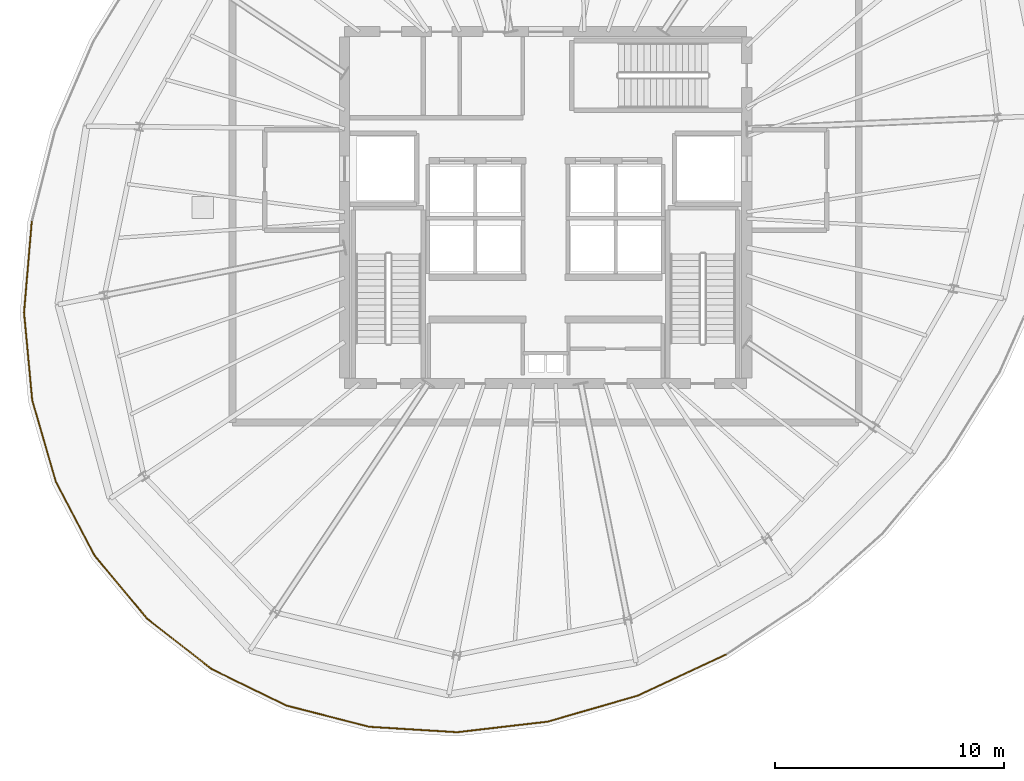
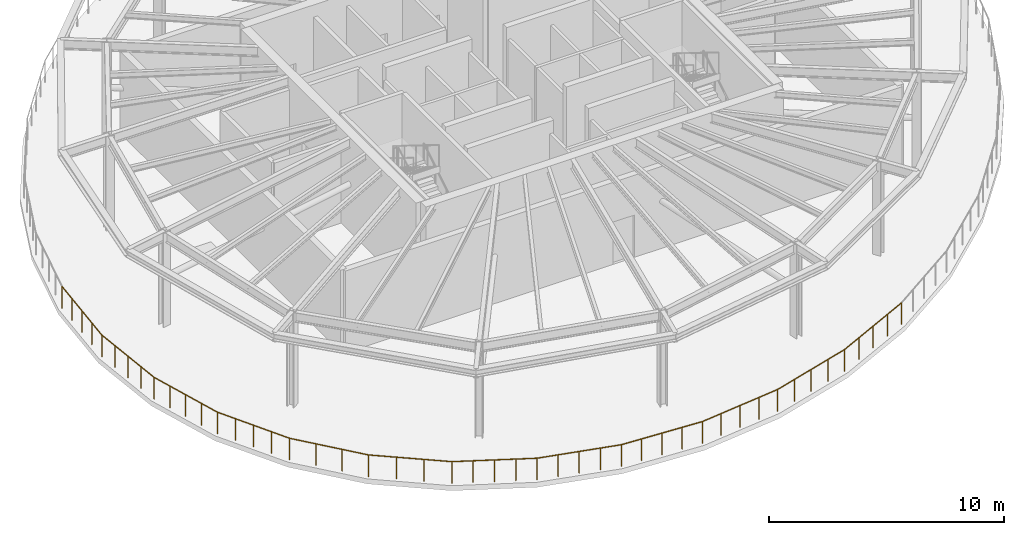
# One storey, part 6 of 8: 12 railings.
"""IFC4 building model written with IfcOpenShell, lengths in metres."""

from ifc_helpers import new_model, si_unit, direction, frame, origin, origin_2d, place, context, subcontext, project, spatial, circle, extrude, material, type_object, element, save


model = new_model("IFC4")

# Units and contexts
model_context = context("Model", 3, precision=1e-05, world=origin(), true_north=direction((0.0, 1.0)))
body_context = subcontext(model_context, "Body", "Model", "MODEL_VIEW")
ifc_project = project(units=[si_unit("LENGTHUNIT", "METRE"), si_unit("AREAUNIT", "SQUARE_METRE"), si_unit("VOLUMEUNIT", "CUBIC_METRE"), si_unit("PLANEANGLEUNIT", "RADIAN"), si_unit("MASSUNIT", "GRAM", prefix="KILO"), si_unit("THERMODYNAMICTEMPERATUREUNIT", "KELVIN")], contexts=[model_context])

# Site, building, storey
site_placement = place(None, origin())
site = spatial("IfcSite", under=ifc_project, at=site_placement, CompositionType="ELEMENT")
building_placement = place(site_placement, origin())
building = spatial("IfcBuilding", under=site, at=building_placement, Name="Kethvar Cultural Tower", CompositionType="ELEMENT")
storey_placement = place(building_placement, frame((0.0, 0.0, 218.39990234375)))
storey = spatial("IfcBuildingStorey", under=building, at=storey_placement, Name="L57", CompositionType="ELEMENT", Elevation=218.39990234375)

# Railings
ifc_material = material(Name="Steel S355J2", Category="steel")
railing_type = type_object("IfcRailingType", Name="RL-EXT-GUARD-1150", PredefinedType="BALUSTRADE", material=ifc_material)
railing_1_placement = place(storey_placement, frame((24.31103515625, 27.1845703125, 0.0)))
element("IfcRailing", 1, at=railing_1_placement, inside=storey, type_object=railing_type, Name="L57 Open Wind-Floor Perimeter Guard 14", PredefinedType="BALUSTRADE", context=body_context, shape_type="SweptSolid", body=[
    extrude(circle(Radius=0.02392578125, at=origin_2d()), frame((0.0, 0.0, 1.1259765625), z_axis=(-0.084401907335, -0.996431792968, 0.0), x_axis=(0.996431792968, -0.084401907335, 0.0)), (0.0, 0.0, 1.0), 3.99169921875),
    extrude(circle(Radius=0.02099609375, at=origin_2d()), origin(), (0.0, 0.0, 1.0), 1.101806640625),
    extrude(circle(Radius=0.02099609375, at=origin_2d()), frame((-0.084228515625, -0.994384765625, 0.0)), (0.0, 0.0, 1.0), 1.101806640625),
    extrude(circle(Radius=0.02099609375, at=origin_2d()), frame((-0.16845703125, -1.98876953125, 0.0)), (0.0, 0.0, 1.0), 1.101806640625),
    extrude(circle(Radius=0.02099609375, at=origin_2d()), frame((-0.252685546875, -2.983154296875, 0.0)), (0.0, 0.0, 1.0), 1.101806640625),
    extrude(circle(Radius=0.02099609375, at=origin_2d()), frame((-0.3369140625, -3.9775390625, 0.0)), (0.0, 0.0, 1.0), 1.101806640625),
])
railing_2_placement = place(storey_placement, frame((23.97412109375, 23.20703125, 0.0)))
element("IfcRailing", 2, at=railing_2_placement, inside=storey, type_object=railing_type, Name="L57 Open Wind-Floor Perimeter Guard 15", PredefinedType="BALUSTRADE", context=body_context, shape_type="SweptSolid", body=[
    extrude(circle(Radius=0.02392578125, at=origin_2d()), frame((0.0, 0.0, 1.1259765625), z_axis=(0.092681753971, -0.995695783099, 0.0), x_axis=(0.995695783099, 0.092681753971, 0.0)), (0.0, 0.0, 1.0), 3.8564453125),
    extrude(circle(Radius=0.02099609375, at=origin_2d()), origin(), (0.0, 0.0, 1.0), 1.101806640625),
    extrude(circle(Radius=0.02099609375, at=origin_2d()), frame((0.08935546875, -0.9599609375, 0.0)), (0.0, 0.0, 1.0), 1.101806640625),
    extrude(circle(Radius=0.02099609375, at=origin_2d()), frame((0.1787109375, -1.919921875, 0.0)), (0.0, 0.0, 1.0), 1.101806640625),
    extrude(circle(Radius=0.02099609375, at=origin_2d()), frame((0.26806640625, -2.8798828125, 0.0)), (0.0, 0.0, 1.0), 1.101806640625),
    extrude(circle(Radius=0.02099609375, at=origin_2d()), frame((0.357421875, -3.83984375, 0.0)), (0.0, 0.0, 1.0), 1.101806640625),
])
railing_3_placement = place(storey_placement, frame((24.33154296875, 19.3671875, 0.0)))
element("IfcRailing", 3, at=railing_3_placement, inside=storey, type_object=railing_type, Name="L57 Open Wind-Floor Perimeter Guard 16", PredefinedType="BALUSTRADE", context=body_context, shape_type="SweptSolid", body=[
    extrude(circle(Radius=0.02392578125, at=origin_2d()), frame((0.0, 0.0, 1.1259765625), z_axis=(0.279080651789, -0.960267665704, 0.0), x_axis=(0.960267665704, 0.279080651789, 0.0)), (0.0, 0.0, 1.0), 3.732666015625),
    extrude(circle(Radius=0.02099609375, at=origin_2d()), origin(), (0.0, 0.0, 1.0), 1.101806640625),
    extrude(circle(Radius=0.02099609375, at=origin_2d()), frame((0.260498046875, -0.89599609375, 0.0)), (0.0, 0.0, 1.0), 1.101806640625),
    extrude(circle(Radius=0.02099609375, at=origin_2d()), frame((0.52099609375, -1.792236328125, 0.0)), (0.0, 0.0, 1.0), 1.101806640625),
    extrude(circle(Radius=0.02099609375, at=origin_2d()), frame((0.78125, -2.6884765625, 0.0)), (0.0, 0.0, 1.0), 1.101806640625),
    extrude(circle(Radius=0.02099609375, at=origin_2d()), frame((1.041748046875, -3.58447265625, 0.0)), (0.0, 0.0, 1.0), 1.101806640625),
])
railing_4_placement = place(storey_placement, frame((25.373291015625, 15.78271484375, 0.0)))
element("IfcRailing", 4, at=railing_4_placement, inside=storey, type_object=railing_type, Name="L57 Open Wind-Floor Perimeter Guard 17", PredefinedType="BALUSTRADE", context=body_context, shape_type="SweptSolid", body=[
    extrude(circle(Radius=0.02392578125, at=origin_2d()), frame((0.0, 0.0, 1.1259765625), z_axis=(0.465743667305, -0.884919677917, 0.0), x_axis=(0.884919677917, 0.465743667305, 0.0)), (0.0, 0.0, 1.0), 3.638427734375),
    extrude(circle(Radius=0.02099609375, at=origin_2d()), origin(), (0.0, 0.0, 1.0), 1.101806640625),
    extrude(circle(Radius=0.02099609375, at=origin_2d()), frame((0.423583984375, -0.804931640625, 0.0)), (0.0, 0.0, 1.0), 1.101806640625),
    extrude(circle(Radius=0.02099609375, at=origin_2d()), frame((0.84716796875, -1.60986328125, 0.0)), (0.0, 0.0, 1.0), 1.101806640625),
    extrude(circle(Radius=0.02099609375, at=origin_2d()), frame((1.27099609375, -2.414794921875, 0.0)), (0.0, 0.0, 1.0), 1.101806640625),
    extrude(circle(Radius=0.02099609375, at=origin_2d()), frame((1.694580078125, -3.2197265625, 0.0)), (0.0, 0.0, 1.0), 1.101806640625),
])
railing_5_placement = place(storey_placement, frame((27.06787109375, 12.56298828125, 0.0)))
element("IfcRailing", 5, at=railing_5_placement, inside=storey, type_object=railing_type, Name="L57 Open Wind-Floor Perimeter Guard 18", PredefinedType="BALUSTRADE", context=body_context, shape_type="SweptSolid", body=[
    extrude(circle(Radius=0.02392578125, at=origin_2d()), frame((0.0, 0.0, 1.1259765625), z_axis=(0.640037094661, -0.768344009841, 0.0), x_axis=(0.768344009841, 0.640037094661, 0.0)), (0.0, 0.0, 1.0), 3.586669921875),
    extrude(circle(Radius=0.02099609375, at=origin_2d()), origin(), (0.0, 0.0, 1.0), 1.101806640625),
    extrude(circle(Radius=0.02099609375, at=origin_2d()), frame((0.76513671875, -0.918701171875, 0.0)), (0.0, 0.0, 1.0), 1.101806640625),
    extrude(circle(Radius=0.02099609375, at=origin_2d()), frame((1.530517578125, -1.837158203125, 0.0)), (0.0, 0.0, 1.0), 1.101806640625),
    extrude(circle(Radius=0.02099609375, at=origin_2d()), frame((2.295654296875, -2.755859375, 0.0)), (0.0, 0.0, 1.0), 1.101806640625),
])
railing_6_placement = place(storey_placement, frame((29.363525390625, 9.80712890625, 0.0)))
element("IfcRailing", 6, at=railing_6_placement, inside=storey, type_object=railing_type, Name="L57 Open Wind-Floor Perimeter Guard 19", PredefinedType="BALUSTRADE", context=body_context, shape_type="SweptSolid", body=[
    extrude(circle(Radius=0.02392578125, at=origin_2d()), frame((0.0, 0.0, 1.1259765625), z_axis=(0.788093504215, -0.615555544703, 0.0), x_axis=(0.615555544703, 0.788093504215, 0.0)), (0.0, 0.0, 1.0), 3.5869140625),
    extrude(circle(Radius=0.02099609375, at=origin_2d()), origin(), (0.0, 0.0, 1.0), 1.101806640625),
    extrude(circle(Radius=0.02099609375, at=origin_2d()), frame((0.9423828125, -0.736083984375, 0.0)), (0.0, 0.0, 1.0), 1.101806640625),
    extrude(circle(Radius=0.02099609375, at=origin_2d()), frame((1.884521484375, -1.471923828125, 0.0)), (0.0, 0.0, 1.0), 1.101806640625),
    extrude(circle(Radius=0.02099609375, at=origin_2d()), frame((2.826904296875, -2.2080078125, 0.0)), (0.0, 0.0, 1.0), 1.101806640625),
])
railing_7_placement = place(storey_placement, frame((32.1904296875, 7.59912109375, 0.0)))
element("IfcRailing", 7, at=railing_7_placement, inside=storey, type_object=railing_type, Name="L57 Open Wind-Floor Perimeter Guard 20", PredefinedType="BALUSTRADE", context=body_context, shape_type="SweptSolid", body=[
    extrude(circle(Radius=0.02392578125, at=origin_2d()), frame((0.0, 0.0, 1.1259765625), z_axis=(0.899088073443, -0.43776778798, 0.0), x_axis=(0.43776778798, 0.899088073443, 0.0)), (0.0, 0.0, 1.0), 3.638427734375),
    extrude(circle(Radius=0.02099609375, at=origin_2d()), origin(), (0.0, 0.0, 1.0), 1.101806640625),
    extrude(circle(Radius=0.02099609375, at=origin_2d()), frame((0.81787109375, -0.398193359375, 0.0)), (0.0, 0.0, 1.0), 1.101806640625),
    extrude(circle(Radius=0.02099609375, at=origin_2d()), frame((1.6357421875, -0.79638671875, 0.0)), (0.0, 0.0, 1.0), 1.101806640625),
    extrude(circle(Radius=0.02099609375, at=origin_2d()), frame((2.453369140625, -1.194580078125, 0.0)), (0.0, 0.0, 1.0), 1.101806640625),
    extrude(circle(Radius=0.02099609375, at=origin_2d()), frame((3.271240234375, -1.5927734375, 0.0)), (0.0, 0.0, 1.0), 1.101806640625),
])
railing_8_placement = place(storey_placement, frame((35.461669921875, 6.00634765625, 0.0)))
element("IfcRailing", 8, at=railing_8_placement, inside=storey, type_object=railing_type, Name="L57 Open Wind-Floor Perimeter Guard 21", PredefinedType="BALUSTRADE", context=body_context, shape_type="SweptSolid", body=[
    extrude(circle(Radius=0.02392578125, at=origin_2d()), frame((0.0, 0.0, 1.1259765625), z_axis=(0.968572209961, -0.248732535248, 0.0), x_axis=(0.248732535248, 0.968572209961, 0.0)), (0.0, 0.0, 1.0), 3.73291015625),
    extrude(circle(Radius=0.02099609375, at=origin_2d()), origin(), (0.0, 0.0, 1.0), 1.101806640625),
    extrude(circle(Radius=0.02099609375, at=origin_2d()), frame((0.90380859375, -0.232177734375, 0.0)), (0.0, 0.0, 1.0), 1.101806640625),
    extrude(circle(Radius=0.02099609375, at=origin_2d()), frame((1.8076171875, -0.46435546875, 0.0)), (0.0, 0.0, 1.0), 1.101806640625),
    extrude(circle(Radius=0.02099609375, at=origin_2d()), frame((2.711669921875, -0.6962890625, 0.0)), (0.0, 0.0, 1.0), 1.101806640625),
    extrude(circle(Radius=0.02099609375, at=origin_2d()), frame((3.615478515625, -0.928466796875, 0.0)), (0.0, 0.0, 1.0), 1.101806640625),
])
railing_9_placement = place(storey_placement, frame((39.0771484375, 5.077880859375, 0.0)))
element("IfcRailing", 9, at=railing_9_placement, inside=storey, type_object=railing_type, Name="L57 Open Wind-Floor Perimeter Guard 22", PredefinedType="BALUSTRADE", context=body_context, shape_type="SweptSolid", body=[
    extrude(circle(Radius=0.02392578125, at=origin_2d()), frame((0.0, 0.0, 1.1259765625), z_axis=(0.998112705776, -0.061408684803, 0.0), x_axis=(0.061408684803, 0.998112705776, 0.0)), (0.0, 0.0, 1.0), 3.8564453125),
    extrude(circle(Radius=0.02099609375, at=origin_2d()), origin(), (0.0, 0.0, 1.0), 1.101806640625),
    extrude(circle(Radius=0.02099609375, at=origin_2d()), frame((0.96240234375, -0.05908203125, 0.0)), (0.0, 0.0, 1.0), 1.101806640625),
    extrude(circle(Radius=0.02099609375, at=origin_2d()), frame((1.924560546875, -0.118408203125, 0.0)), (0.0, 0.0, 1.0), 1.101806640625),
    extrude(circle(Radius=0.02099609375, at=origin_2d()), frame((2.88671875, -0.177734375, 0.0)), (0.0, 0.0, 1.0), 1.101806640625),
    extrude(circle(Radius=0.02099609375, at=origin_2d()), frame((3.84912109375, -0.23681640625, 0.0)), (0.0, 0.0, 1.0), 1.101806640625),
])
railing_10_placement = place(storey_placement, frame((42.92626953125, 4.841064453125, 0.0)))
element("IfcRailing", 10, at=railing_10_placement, inside=storey, type_object=railing_type, Name="L57 Open Wind-Floor Perimeter Guard 23", PredefinedType="BALUSTRADE", context=body_context, shape_type="SweptSolid", body=[
    extrude(circle(Radius=0.02392578125, at=origin_2d()), frame((0.0, 0.0, 1.1259765625), z_axis=(0.993289745434, 0.115652417254, 0.0), x_axis=(-0.115652417254, 0.993289745434, 0.0)), (0.0, 0.0, 1.0), 3.991943359375),
    extrude(circle(Radius=0.02099609375, at=origin_2d()), origin(), (0.0, 0.0, 1.0), 1.101806640625),
    extrude(circle(Radius=0.02099609375, at=origin_2d()), frame((0.9912109375, 0.115478515625, 0.0)), (0.0, 0.0, 1.0), 1.101806640625),
    extrude(circle(Radius=0.02099609375, at=origin_2d()), frame((1.982421875, 0.23095703125, 0.0)), (0.0, 0.0, 1.0), 1.101806640625),
    extrude(circle(Radius=0.02099609375, at=origin_2d()), frame((2.973876953125, 0.34619140625, 0.0)), (0.0, 0.0, 1.0), 1.101806640625),
    extrude(circle(Radius=0.02099609375, at=origin_2d()), frame((3.965087890625, 0.461669921875, 0.0)), (0.0, 0.0, 1.0), 1.101806640625),
])
railing_11_placement = place(storey_placement, frame((46.891357421875, 5.302734375, 0.0)))
element("IfcRailing", 11, at=railing_11_placement, inside=storey, type_object=railing_type, Name="L57 Open Wind-Floor Perimeter Guard 24", PredefinedType="BALUSTRADE", context=body_context, shape_type="SweptSolid", body=[
    extrude(circle(Radius=0.02392578125, at=origin_2d()), frame((0.0, 0.0, 1.1259765625), z_axis=(0.960647478504, 0.27777044847, 0.0), x_axis=(-0.27777044847, 0.960647478504, 0.0)), (0.0, 0.0, 1.0), 4.1220703125),
    extrude(circle(Radius=0.02099609375, at=origin_2d()), origin(), (0.0, 0.0, 1.0), 1.101806640625),
    extrude(circle(Radius=0.02099609375, at=origin_2d()), frame((0.989990234375, 0.2861328125, 0.0)), (0.0, 0.0, 1.0), 1.101806640625),
    extrude(circle(Radius=0.02099609375, at=origin_2d()), frame((1.97998046875, 0.572509765625, 0.0)), (0.0, 0.0, 1.0), 1.101806640625),
    extrude(circle(Radius=0.02099609375, at=origin_2d()), frame((2.969970703125, 0.85888671875, 0.0)), (0.0, 0.0, 1.0), 1.101806640625),
    extrude(circle(Radius=0.02099609375, at=origin_2d()), frame((3.9599609375, 1.14501953125, 0.0)), (0.0, 0.0, 1.0), 1.101806640625),
])
railing_12_placement = place(storey_placement, frame((50.851318359375, 6.44775390625, 0.0)))
element("IfcRailing", 12, at=railing_12_placement, inside=storey, type_object=railing_type, Name="L57 Open Wind-Floor Perimeter Guard 25", PredefinedType="BALUSTRADE", context=body_context, shape_type="SweptSolid", body=[
    extrude(circle(Radius=0.02392578125, at=origin_2d()), frame((0.0, 0.0, 1.1259765625), z_axis=(0.905936942276, 0.423412631625, 0.0), x_axis=(-0.423412631625, 0.905936942276, 0.0)), (0.0, 0.0, 1.0), 4.2333984375),
    extrude(circle(Radius=0.02099609375, at=origin_2d()), origin(), (0.0, 0.0, 1.0), 1.101806640625),
    extrude(circle(Radius=0.02099609375, at=origin_2d()), frame((0.958740234375, 0.4482421875, 0.0)), (0.0, 0.0, 1.0), 1.101806640625),
    extrude(circle(Radius=0.02099609375, at=origin_2d()), frame((1.91748046875, 0.896240234375, 0.0)), (0.0, 0.0, 1.0), 1.101806640625),
    extrude(circle(Radius=0.02099609375, at=origin_2d()), frame((2.87646484375, 1.34423828125, 0.0)), (0.0, 0.0, 1.0), 1.101806640625),
    extrude(circle(Radius=0.02099609375, at=origin_2d()), frame((3.835205078125, 1.79248046875, 0.0)), (0.0, 0.0, 1.0), 1.101806640625),
])

save(model, "model.ifc")
